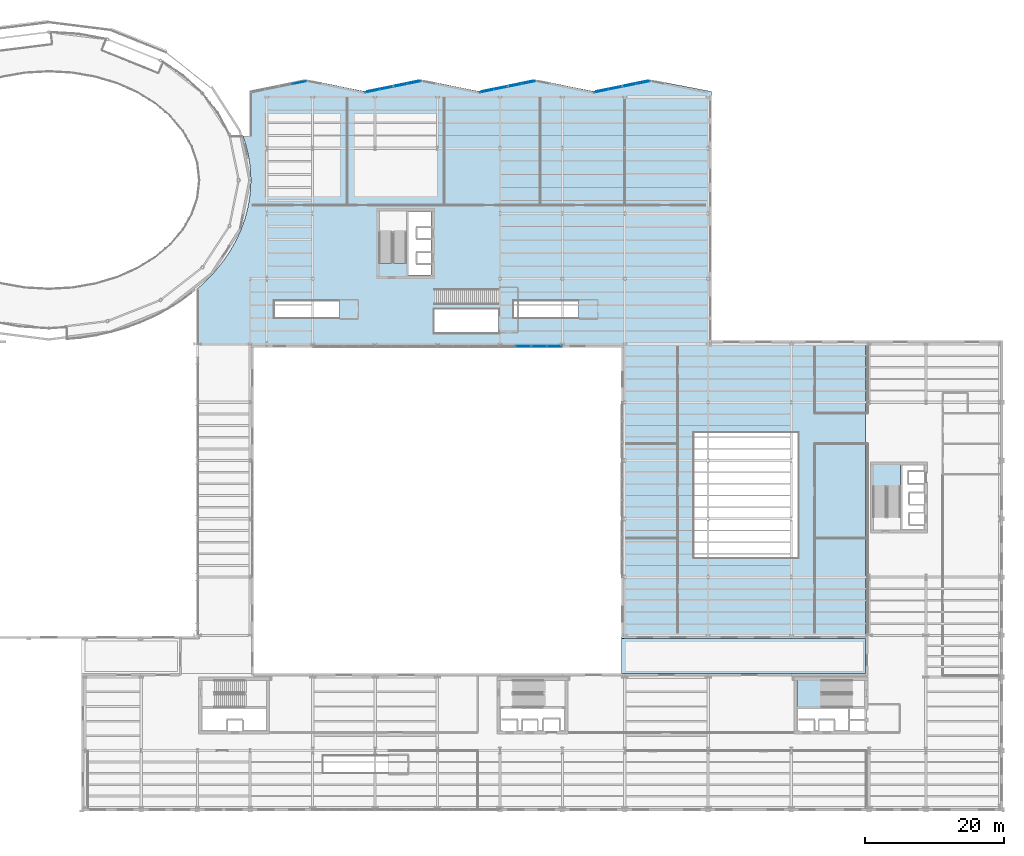
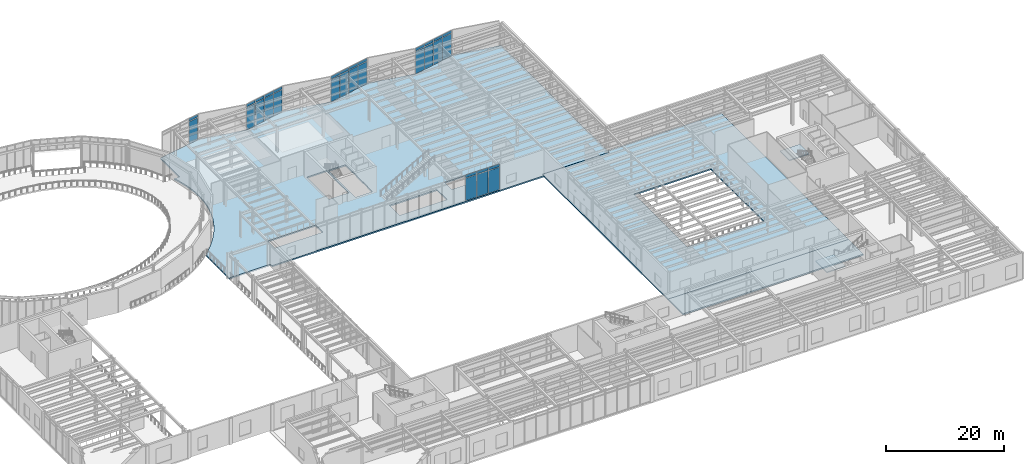
# One storey, part 71 of 98: 35 plates, 5 slabs, 11 elements without a shape of their own.
"""IFC4 building model written with IfcOpenShell, lengths in metres."""

from ifc_helpers import new_model, si_unit, direction, frame, origin, origin_2d, place, context, subcontext, project, spatial, polyline, rectangle, outline, extrude, material, layer, layer_set, type_object, element, aggregate, save


model = new_model("IFC4")

# Units and contexts
model_context = context("Model", 3, precision=1e-05, world=origin(), true_north=direction((0.0, 1.0)))
body_context = subcontext(model_context, "Body", "Model", "MODEL_VIEW")
ifc_project = project(units=[si_unit("LENGTHUNIT", "METRE"), si_unit("AREAUNIT", "SQUARE_METRE"), si_unit("VOLUMEUNIT", "CUBIC_METRE"), si_unit("PLANEANGLEUNIT", "RADIAN"), si_unit("MASSUNIT", "GRAM", prefix="KILO")], contexts=[model_context])

# Site, building, storey
site_placement = place(None, origin())
site = spatial("IfcSite", under=ifc_project, at=site_placement, CompositionType="ELEMENT")
building_placement = place(site_placement, origin())
building = spatial("IfcBuilding", under=site, at=building_placement, Name="Sollismere Congress Hotel", CompositionType="ELEMENT")
storey_placement = place(building_placement, frame((0.0, 0.0, 5.39990234375)))
storey = spatial("IfcBuildingStorey", under=building, at=storey_placement, Name="L01", CompositionType="ELEMENT", Elevation=5.39990234375)

# Curtain wall, plate
ifc_material_1 = material(Name="Anodized Bronze Curtain Wall & Low-E Triple Glazing", Category="glass")
ifc_layer_1 = layer(ifc_material_1, 0.199951171875, Name="Anodized Bronze Curtain Wall & Low-E Triple Glazing")
ifc_layer_set_1 = layer_set([ifc_layer_1], Name="Anodized Bronze Curtain Wall & Low-E Triple Glazing")
curtain_wall_type = type_object("IfcCurtainWallType", Name="CW-GLZ36", PredefinedType="USERDEFINED", material=ifc_layer_set_1)
curtain_wall_1_placement = place(storey_placement, origin())
curtain_wall_1 = element("IfcCurtainWall", 1, at=curtain_wall_1_placement, inside=storey, type_object=curtain_wall_type, Name="Unitised curtain wall CW-L01-082", ObjectType="UNITISED CURTAIN WALL", PredefinedType="USERDEFINED")
ifc_material_2 = material(Name="Blue-Tinted Solar-Control Low-E Vision Glass", Category="glass")
ifc_layer_2 = layer(ifc_material_2, 0.035888671875, Name="Blue-Tinted Solar-Control Low-E Vision Glass")
ifc_layer_set_2 = layer_set([ifc_layer_2], Name="Blue-Tinted Solar-Control Low-E Vision Glass")
plate_type_1 = type_object("IfcPlateType", Name="PL-CWGLZ", PredefinedType="CURTAIN_PANEL", material=ifc_layer_set_2)
plate_1_placement = place(storey_placement, frame((65.11181640625, 104.467041015625, 0.05322265625), z_axis=(0.0, 0.0, 1.0), x_axis=(0.979924704621, 0.199367934417, 0.0)))
plate_1 = element("IfcPlate", 2, at=plate_1_placement, type_object=plate_type_1, Name="CWL-CW-L01-082-VP02", PredefinedType="CURTAIN_PANEL", context=body_context, shape_type="SweptSolid", body=[
    extrude(rectangle(XDim=1.955810546875, YDim=0.035888671875, at=origin_2d()), origin(), (0.0, 0.0, 1.0), 4.60888671875),
])

# Curtain wall, plates
curtain_wall_2_placement = place(storey_placement, origin())
curtain_wall_2 = element("IfcCurtainWall", 3, at=curtain_wall_2_placement, inside=storey, type_object=curtain_wall_type, Name="Unitised curtain wall CW-L01-083", ObjectType="UNITISED CURTAIN WALL", PredefinedType="USERDEFINED")
plate_2_placement = place(storey_placement, frame((75.63818359375, 103.25146484375, 0.05322265625), z_axis=(0.0, 0.0, 1.0), x_axis=(0.979924704621, 0.199367934417, 0.0)))
plate_2 = element("IfcPlate", 4, at=plate_2_placement, type_object=plate_type_1, Name="CWL-CW-L01-083-VP01", PredefinedType="CURTAIN_PANEL", context=body_context, shape_type="SweptSolid", body=[
    extrude(rectangle(XDim=1.955810546875, YDim=0.035888671875, at=origin_2d()), origin(), (0.0, 0.0, 1.0), 4.60888671875),
])
plate_3_placement = place(storey_placement, frame((77.6044921875, 103.651611328125, 0.05322265625), z_axis=(0.0, 0.0, 1.0), x_axis=(0.979924704621, 0.199367934417, 0.0)))
plate_3 = element("IfcPlate", 5, at=plate_3_placement, type_object=plate_type_1, Name="CWL-CW-L01-083-VP02", PredefinedType="CURTAIN_PANEL", context=body_context, shape_type="SweptSolid", body=[
    extrude(rectangle(XDim=1.955810546875, YDim=0.035888671875, at=origin_2d()), origin(), (0.0, 0.0, 1.0), 4.60888671875),
])

curtain_wall_3_placement = place(storey_placement, origin())
curtain_wall_3 = element("IfcCurtainWall", 6, at=curtain_wall_3_placement, inside=storey, type_object=curtain_wall_type, Name="Unitised curtain wall CW-L01-084", ObjectType="UNITISED CURTAIN WALL", PredefinedType="USERDEFINED")
plate_4_placement = place(storey_placement, frame((79.6455078125, 104.06689453125, 0.05322265625), z_axis=(0.0, 0.0, 1.0), x_axis=(0.979924704621, 0.199367934417, 0.0)))
plate_4 = element("IfcPlate", 7, at=plate_4_placement, type_object=plate_type_1, Name="CWL-CW-L01-084-VP01", PredefinedType="CURTAIN_PANEL", context=body_context, shape_type="SweptSolid", body=[
    extrude(rectangle(XDim=1.955810546875, YDim=0.035888671875, at=origin_2d()), origin(), (0.0, 0.0, 1.0), 4.60888671875),
])
plate_5_placement = place(storey_placement, frame((81.61181640625, 104.467041015625, 0.05322265625), z_axis=(0.0, 0.0, 1.0), x_axis=(0.979924704621, 0.199367934417, 0.0)))
plate_5 = element("IfcPlate", 8, at=plate_5_placement, type_object=plate_type_1, Name="CWL-CW-L01-084-VP02", PredefinedType="CURTAIN_PANEL", context=body_context, shape_type="SweptSolid", body=[
    extrude(rectangle(XDim=1.955810546875, YDim=0.035888671875, at=origin_2d()), origin(), (0.0, 0.0, 1.0), 4.60888671875),
])

curtain_wall_4_placement = place(storey_placement, origin())
curtain_wall_4 = element("IfcCurtainWall", 9, at=curtain_wall_4_placement, inside=storey, type_object=curtain_wall_type, Name="Unitised curtain wall CW-L01-085", ObjectType="UNITISED CURTAIN WALL", PredefinedType="USERDEFINED")
plate_6_placement = place(storey_placement, frame((92.13818359375, 103.25146484375, 0.05322265625), z_axis=(0.0, 0.0, 1.0), x_axis=(0.979924704621, 0.199367934417, 0.0)))
plate_6 = element("IfcPlate", 10, at=plate_6_placement, type_object=plate_type_1, Name="CWL-CW-L01-085-VP01", PredefinedType="CURTAIN_PANEL", context=body_context, shape_type="SweptSolid", body=[
    extrude(rectangle(XDim=1.955810546875, YDim=0.035888671875, at=origin_2d()), origin(), (0.0, 0.0, 1.0), 4.60888671875),
])
plate_7_placement = place(storey_placement, frame((94.1044921875, 103.651611328125, 0.05322265625), z_axis=(0.0, 0.0, 1.0), x_axis=(0.979924704621, 0.199367934417, 0.0)))
plate_7 = element("IfcPlate", 11, at=plate_7_placement, type_object=plate_type_1, Name="CWL-CW-L01-085-VP02", PredefinedType="CURTAIN_PANEL", context=body_context, shape_type="SweptSolid", body=[
    extrude(rectangle(XDim=1.955810546875, YDim=0.035888671875, at=origin_2d()), origin(), (0.0, 0.0, 1.0), 4.60888671875),
])

curtain_wall_5_placement = place(storey_placement, origin())
curtain_wall_5 = element("IfcCurtainWall", 12, at=curtain_wall_5_placement, inside=storey, type_object=curtain_wall_type, Name="Unitised curtain wall CW-L01-086", ObjectType="UNITISED CURTAIN WALL", PredefinedType="USERDEFINED")
plate_8_placement = place(storey_placement, frame((96.1455078125, 104.06689453125, 0.05322265625), z_axis=(0.0, 0.0, 1.0), x_axis=(0.979924704621, 0.199367934417, 0.0)))
plate_8 = element("IfcPlate", 13, at=plate_8_placement, type_object=plate_type_1, Name="CWL-CW-L01-086-VP01", PredefinedType="CURTAIN_PANEL", context=body_context, shape_type="SweptSolid", body=[
    extrude(rectangle(XDim=1.955810546875, YDim=0.035888671875, at=origin_2d()), origin(), (0.0, 0.0, 1.0), 4.60888671875),
])
plate_9_placement = place(storey_placement, frame((98.11181640625, 104.467041015625, 0.05322265625), z_axis=(0.0, 0.0, 1.0), x_axis=(0.979924704621, 0.199367934417, 0.0)))
plate_9 = element("IfcPlate", 14, at=plate_9_placement, type_object=plate_type_1, Name="CWL-CW-L01-086-VP02", PredefinedType="CURTAIN_PANEL", context=body_context, shape_type="SweptSolid", body=[
    extrude(rectangle(XDim=1.955810546875, YDim=0.035888671875, at=origin_2d()), origin(), (0.0, 0.0, 1.0), 4.60888671875),
])

curtain_wall_6_placement = place(storey_placement, origin())
curtain_wall_6 = element("IfcCurtainWall", 15, at=curtain_wall_6_placement, inside=storey, type_object=curtain_wall_type, Name="Unitised curtain wall CW-L01-087", ObjectType="UNITISED CURTAIN WALL", PredefinedType="USERDEFINED")
plate_10_placement = place(storey_placement, frame((108.63818359375, 103.25146484375, 0.05322265625), z_axis=(0.0, 0.0, 1.0), x_axis=(0.979924704621, 0.199367934417, 0.0)))
plate_10 = element("IfcPlate", 16, at=plate_10_placement, type_object=plate_type_1, Name="CWL-CW-L01-087-VP01", PredefinedType="CURTAIN_PANEL", context=body_context, shape_type="SweptSolid", body=[
    extrude(rectangle(XDim=1.955810546875, YDim=0.035888671875, at=origin_2d()), origin(), (0.0, 0.0, 1.0), 4.60888671875),
])
plate_11_placement = place(storey_placement, frame((110.6044921875, 103.651611328125, 0.05322265625), z_axis=(0.0, 0.0, 1.0), x_axis=(0.979924704621, 0.199367934417, 0.0)))
plate_11 = element("IfcPlate", 17, at=plate_11_placement, type_object=plate_type_1, Name="CWL-CW-L01-087-VP02", PredefinedType="CURTAIN_PANEL", context=body_context, shape_type="SweptSolid", body=[
    extrude(rectangle(XDim=1.955810546875, YDim=0.035888671875, at=origin_2d()), origin(), (0.0, 0.0, 1.0), 4.60888671875),
])

curtain_wall_7_placement = place(storey_placement, origin())
curtain_wall_7 = element("IfcCurtainWall", 18, at=curtain_wall_7_placement, inside=storey, type_object=curtain_wall_type, Name="Unitised curtain wall CW-L01-088", ObjectType="UNITISED CURTAIN WALL", PredefinedType="USERDEFINED")
plate_12_placement = place(storey_placement, frame((112.6455078125, 104.06689453125, 0.05322265625), z_axis=(0.0, 0.0, 1.0), x_axis=(0.979924704621, 0.199367934417, 0.0)))
plate_12 = element("IfcPlate", 19, at=plate_12_placement, type_object=plate_type_1, Name="CWL-CW-L01-088-VP01", PredefinedType="CURTAIN_PANEL", context=body_context, shape_type="SweptSolid", body=[
    extrude(rectangle(XDim=1.955810546875, YDim=0.035888671875, at=origin_2d()), origin(), (0.0, 0.0, 1.0), 4.60888671875),
])
plate_13_placement = place(storey_placement, frame((114.61181640625, 104.467041015625, 0.05322265625), z_axis=(0.0, 0.0, 1.0), x_axis=(0.979924704621, 0.199367934417, 0.0)))
plate_13 = element("IfcPlate", 20, at=plate_13_placement, type_object=plate_type_1, Name="CWL-CW-L01-088-VP02", PredefinedType="CURTAIN_PANEL", context=body_context, shape_type="SweptSolid", body=[
    extrude(rectangle(XDim=1.955810546875, YDim=0.035888671875, at=origin_2d()), origin(), (0.0, 0.0, 1.0), 4.60888671875),
])

# Curtain wall, plate
curtain_wall_8_placement = place(storey_placement, origin())
curtain_wall_8 = element("IfcCurtainWall", 21, at=curtain_wall_8_placement, inside=storey, type_object=curtain_wall_type, Name="Unitised curtain wall CW-L01-095", ObjectType="UNITISED CURTAIN WALL", PredefinedType="USERDEFINED")
plate_14_placement = place(storey_placement, frame((97.3583984375, 66.489990234375, 0.05322265625), z_axis=(0.0, 0.0, 1.0), x_axis=(1.0, 0.0, 0.0)))
plate_14 = element("IfcPlate", 22, at=plate_14_placement, type_object=plate_type_1, Name="CWL-CW-L01-095-VP02", PredefinedType="CURTAIN_PANEL", context=body_context, shape_type="SweptSolid", body=[
    extrude(rectangle(XDim=2.156005859375, YDim=0.035888671875, at=origin_2d()), origin(), (0.0, 0.0, 1.0), 4.60888671875),
])

# Curtain wall, plates
curtain_wall_9_placement = place(storey_placement, origin())
curtain_wall_9 = element("IfcCurtainWall", 23, at=curtain_wall_9_placement, inside=storey, type_object=curtain_wall_type, Name="Unitised curtain wall CW-L01-096", ObjectType="UNITISED CURTAIN WALL", PredefinedType="USERDEFINED")
plate_15_placement = place(storey_placement, frame((99.6416015625, 66.489990234375, 0.05322265625), z_axis=(0.0, 0.0, 1.0), x_axis=(1.0, 0.0, 0.0)))
plate_15 = element("IfcPlate", 24, at=plate_15_placement, type_object=plate_type_1, Name="CWL-CW-L01-096-VP01", PredefinedType="CURTAIN_PANEL", context=body_context, shape_type="SweptSolid", body=[
    extrude(rectangle(XDim=2.156005859375, YDim=0.035888671875, at=origin_2d()), origin(), (0.0, 0.0, 1.0), 4.60888671875),
])
plate_16_placement = place(storey_placement, frame((101.848388671875, 66.489990234375, 0.05322265625), z_axis=(0.0, 0.0, 1.0), x_axis=(1.0, 0.0, 0.0)))
plate_16 = element("IfcPlate", 25, at=plate_16_placement, type_object=plate_type_1, Name="CWL-CW-L01-096-VP02", PredefinedType="CURTAIN_PANEL", context=body_context, shape_type="SweptSolid", body=[
    extrude(rectangle(XDim=2.156005859375, YDim=0.035888671875, at=origin_2d()), origin(), (0.0, 0.0, 1.0), 4.60888671875),
])

# Plate
ifc_material_3 = material(Name="Anodized Bronze Insulated Spandrel Panel")
ifc_layer_3 = layer(ifc_material_3, 0.044921875, Name="Anodized Bronze Insulated Spandrel Panel")
ifc_layer_set_3 = layer_set([ifc_layer_3], Name="Anodized Bronze Insulated Spandrel Panel")
plate_type_2 = type_object("IfcPlateType", Name="PL-CWSPN", PredefinedType="SHEET", material=ifc_layer_set_3)
plate_17_placement = place(storey_placement, frame((65.11181640625, 104.467041015625, 4.77783203125), z_axis=(0.0, 0.0, 1.0), x_axis=(0.979924704621, 0.199367934417, 0.0)))
plate_17 = element("IfcPlate", 26, at=plate_17_placement, type_object=plate_type_2, Name="CWL-CW-L01-082-SP02", PredefinedType="SHEET", context=body_context, shape_type="SweptSolid", body=[
    extrude(rectangle(XDim=1.955810546875, YDim=0.044921875, at=origin_2d()), origin(), (0.0, 0.0, 1.0), 0.569091796875),
])

aggregate(curtain_wall_1, [plate_1, plate_17])

plate_18_placement = place(storey_placement, frame((75.63818359375, 103.25146484375, 4.77783203125), z_axis=(0.0, 0.0, 1.0), x_axis=(0.979924704621, 0.199367934417, 0.0)))
plate_18 = element("IfcPlate", 27, at=plate_18_placement, type_object=plate_type_2, Name="CWL-CW-L01-083-SP01", PredefinedType="SHEET", context=body_context, shape_type="SweptSolid", body=[
    extrude(rectangle(XDim=1.955810546875, YDim=0.044921875, at=origin_2d()), origin(), (0.0, 0.0, 1.0), 0.569091796875),
])

plate_19_placement = place(storey_placement, frame((77.6044921875, 103.651611328125, 4.77783203125), z_axis=(0.0, 0.0, 1.0), x_axis=(0.979924704621, 0.199367934417, 0.0)))
plate_19 = element("IfcPlate", 28, at=plate_19_placement, type_object=plate_type_2, Name="CWL-CW-L01-083-SP02", PredefinedType="SHEET", context=body_context, shape_type="SweptSolid", body=[
    extrude(rectangle(XDim=1.955810546875, YDim=0.044921875, at=origin_2d()), origin(), (0.0, 0.0, 1.0), 0.569091796875),
])

aggregate(curtain_wall_2, [plate_2, plate_18, plate_3, plate_19])

plate_20_placement = place(storey_placement, frame((79.6455078125, 104.06689453125, 4.77783203125), z_axis=(0.0, 0.0, 1.0), x_axis=(0.979924704621, 0.199367934417, 0.0)))
plate_20 = element("IfcPlate", 29, at=plate_20_placement, type_object=plate_type_2, Name="CWL-CW-L01-084-SP01", PredefinedType="SHEET", context=body_context, shape_type="SweptSolid", body=[
    extrude(rectangle(XDim=1.955810546875, YDim=0.044921875, at=origin_2d()), origin(), (0.0, 0.0, 1.0), 0.569091796875),
])

plate_21_placement = place(storey_placement, frame((81.61181640625, 104.467041015625, 4.77783203125), z_axis=(0.0, 0.0, 1.0), x_axis=(0.979924704621, 0.199367934417, 0.0)))
plate_21 = element("IfcPlate", 30, at=plate_21_placement, type_object=plate_type_2, Name="CWL-CW-L01-084-SP02", PredefinedType="SHEET", context=body_context, shape_type="SweptSolid", body=[
    extrude(rectangle(XDim=1.955810546875, YDim=0.044921875, at=origin_2d()), origin(), (0.0, 0.0, 1.0), 0.569091796875),
])

aggregate(curtain_wall_3, [plate_4, plate_20, plate_5, plate_21])

plate_22_placement = place(storey_placement, frame((92.13818359375, 103.25146484375, 4.77783203125), z_axis=(0.0, 0.0, 1.0), x_axis=(0.979924704621, 0.199367934417, 0.0)))
plate_22 = element("IfcPlate", 31, at=plate_22_placement, type_object=plate_type_2, Name="CWL-CW-L01-085-SP01", PredefinedType="SHEET", context=body_context, shape_type="SweptSolid", body=[
    extrude(rectangle(XDim=1.955810546875, YDim=0.044921875, at=origin_2d()), origin(), (0.0, 0.0, 1.0), 0.569091796875),
])

plate_23_placement = place(storey_placement, frame((94.1044921875, 103.651611328125, 4.77783203125), z_axis=(0.0, 0.0, 1.0), x_axis=(0.979924704621, 0.199367934417, 0.0)))
plate_23 = element("IfcPlate", 32, at=plate_23_placement, type_object=plate_type_2, Name="CWL-CW-L01-085-SP02", PredefinedType="SHEET", context=body_context, shape_type="SweptSolid", body=[
    extrude(rectangle(XDim=1.955810546875, YDim=0.044921875, at=origin_2d()), origin(), (0.0, 0.0, 1.0), 0.569091796875),
])

aggregate(curtain_wall_4, [plate_6, plate_22, plate_7, plate_23])

plate_24_placement = place(storey_placement, frame((96.1455078125, 104.06689453125, 4.77783203125), z_axis=(0.0, 0.0, 1.0), x_axis=(0.979924704621, 0.199367934417, 0.0)))
plate_24 = element("IfcPlate", 33, at=plate_24_placement, type_object=plate_type_2, Name="CWL-CW-L01-086-SP01", PredefinedType="SHEET", context=body_context, shape_type="SweptSolid", body=[
    extrude(rectangle(XDim=1.955810546875, YDim=0.044921875, at=origin_2d()), origin(), (0.0, 0.0, 1.0), 0.569091796875),
])

plate_25_placement = place(storey_placement, frame((98.11181640625, 104.467041015625, 4.77783203125), z_axis=(0.0, 0.0, 1.0), x_axis=(0.979924704621, 0.199367934417, 0.0)))
plate_25 = element("IfcPlate", 34, at=plate_25_placement, type_object=plate_type_2, Name="CWL-CW-L01-086-SP02", PredefinedType="SHEET", context=body_context, shape_type="SweptSolid", body=[
    extrude(rectangle(XDim=1.955810546875, YDim=0.044921875, at=origin_2d()), origin(), (0.0, 0.0, 1.0), 0.569091796875),
])

aggregate(curtain_wall_5, [plate_8, plate_24, plate_9, plate_25])

plate_26_placement = place(storey_placement, frame((108.63818359375, 103.25146484375, 4.77783203125), z_axis=(0.0, 0.0, 1.0), x_axis=(0.979924704621, 0.199367934417, 0.0)))
plate_26 = element("IfcPlate", 35, at=plate_26_placement, type_object=plate_type_2, Name="CWL-CW-L01-087-SP01", PredefinedType="SHEET", context=body_context, shape_type="SweptSolid", body=[
    extrude(rectangle(XDim=1.955810546875, YDim=0.044921875, at=origin_2d()), origin(), (0.0, 0.0, 1.0), 0.569091796875),
])

plate_27_placement = place(storey_placement, frame((110.6044921875, 103.651611328125, 4.77783203125), z_axis=(0.0, 0.0, 1.0), x_axis=(0.979924704621, 0.199367934417, 0.0)))
plate_27 = element("IfcPlate", 36, at=plate_27_placement, type_object=plate_type_2, Name="CWL-CW-L01-087-SP02", PredefinedType="SHEET", context=body_context, shape_type="SweptSolid", body=[
    extrude(rectangle(XDim=1.955810546875, YDim=0.044921875, at=origin_2d()), origin(), (0.0, 0.0, 1.0), 0.569091796875),
])

aggregate(curtain_wall_6, [plate_10, plate_26, plate_11, plate_27])

plate_28_placement = place(storey_placement, frame((112.6455078125, 104.06689453125, 4.77783203125), z_axis=(0.0, 0.0, 1.0), x_axis=(0.979924704621, 0.199367934417, 0.0)))
plate_28 = element("IfcPlate", 37, at=plate_28_placement, type_object=plate_type_2, Name="CWL-CW-L01-088-SP01", PredefinedType="SHEET", context=body_context, shape_type="SweptSolid", body=[
    extrude(rectangle(XDim=1.955810546875, YDim=0.044921875, at=origin_2d()), origin(), (0.0, 0.0, 1.0), 0.569091796875),
])

plate_29_placement = place(storey_placement, frame((114.61181640625, 104.467041015625, 4.77783203125), z_axis=(0.0, 0.0, 1.0), x_axis=(0.979924704621, 0.199367934417, 0.0)))
plate_29 = element("IfcPlate", 38, at=plate_29_placement, type_object=plate_type_2, Name="CWL-CW-L01-088-SP02", PredefinedType="SHEET", context=body_context, shape_type="SweptSolid", body=[
    extrude(rectangle(XDim=1.955810546875, YDim=0.044921875, at=origin_2d()), origin(), (0.0, 0.0, 1.0), 0.569091796875),
])

aggregate(curtain_wall_7, [plate_12, plate_28, plate_13, plate_29])

plate_30_placement = place(storey_placement, frame((97.3583984375, 66.489990234375, 4.77783203125), z_axis=(0.0, 0.0, 1.0), x_axis=(1.0, 0.0, 0.0)))
plate_30 = element("IfcPlate", 39, at=plate_30_placement, type_object=plate_type_2, Name="CWL-CW-L01-095-SP02", PredefinedType="SHEET", context=body_context, shape_type="SweptSolid", body=[
    extrude(rectangle(XDim=2.156005859375, YDim=0.044921875, at=origin_2d()), origin(), (0.0, 0.0, 1.0), 0.569091796875),
])

aggregate(curtain_wall_8, [plate_14, plate_30])

plate_31_placement = place(storey_placement, frame((99.6416015625, 66.489990234375, 4.77783203125), z_axis=(0.0, 0.0, 1.0), x_axis=(1.0, 0.0, 0.0)))
plate_31 = element("IfcPlate", 40, at=plate_31_placement, type_object=plate_type_2, Name="CWL-CW-L01-096-SP01", PredefinedType="SHEET", context=body_context, shape_type="SweptSolid", body=[
    extrude(rectangle(XDim=2.156005859375, YDim=0.044921875, at=origin_2d()), origin(), (0.0, 0.0, 1.0), 0.569091796875),
])

plate_32_placement = place(storey_placement, frame((101.848388671875, 66.489990234375, 4.77783203125), z_axis=(0.0, 0.0, 1.0), x_axis=(1.0, 0.0, 0.0)))
plate_32 = element("IfcPlate", 41, at=plate_32_placement, type_object=plate_type_2, Name="CWL-CW-L01-096-SP02", PredefinedType="SHEET", context=body_context, shape_type="SweptSolid", body=[
    extrude(rectangle(XDim=2.156005859375, YDim=0.044921875, at=origin_2d()), origin(), (0.0, 0.0, 1.0), 0.569091796875),
])

aggregate(curtain_wall_9, [plate_15, plate_31, plate_16, plate_32])

# Plates
ifc_material_4 = material(Name="Perforated Architectural Bronze Sebeke Screen")
ifc_layer_4 = layer(ifc_material_4, 0.0380859375, Name="Perforated Architectural Bronze Sebeke Screen")
ifc_layer_set_4 = layer_set([ifc_layer_4], Name="Perforated Architectural Bronze Sebeke Screen")
plate_type_3 = type_object("IfcPlateType", Name="PL-SBK32", PredefinedType="USERDEFINED", material=ifc_layer_set_4)
for number, where, z_axis, x_axis, name in (
    (42, (78.60107421875, 103.976806640625, 1.7919921875), (0.0, 0.0, 1.0), (0.979924704621, 0.199367934417, 0.0), "PLT-SBK-007"),
    (43, (95.10107421875, 103.976806640625, 1.7919921875), (0.0, 0.0, 1.0), (0.979924704621, 0.199367934417, 0.0), "PLT-SBK-008"),
    (44, (111.60107421875, 103.976806640625, 1.7919921875), (0.0, 0.0, 1.0), (0.979924704621, 0.199367934417, 0.0), "PLT-SBK-009"),
):
    element("IfcPlate", number, at=place(storey_placement, frame(where, z_axis=z_axis, x_axis=x_axis)), inside=storey, type_object=plate_type_3, Name=name, ObjectType="PERFORATED SCREEN", PredefinedType="USERDEFINED", context=body_context, shape_type="SweptSolid", body=[
        extrude(rectangle(XDim=7.618896484375, YDim=0.0380859375, at=origin_2d()), origin(), (0.0, 0.0, 1.0), 2.764892578125),
    ])

# Slabs
ifc_material_5 = material(Name="Concrete C40/50", Category="concrete")
ifc_layer_5 = layer(ifc_material_5, 0.284912109375, Name="Concrete C40/50")
ifc_layer_set_5 = layer_set([ifc_layer_5], Name="Concrete C40/50")
slab_type_1 = type_object("IfcSlabType", Name="SL-FLR285", PredefinedType="FLOOR", material=ifc_layer_set_5)
slab_1_placement = place(storey_placement, frame((0.0, 0.0, -0.284912109375)))
element("IfcSlab", 45, at=slab_1_placement, inside=storey, type_object=slab_type_1, Name="Slab SL-L01-V2", PredefinedType="FLOOR", context=body_context, shape_type="SweptSolid", body=[
    extrude(outline(polyline([(58.47998046875, 66.320068359375), (111.52001953125, 66.320068359375), (111.52001953125, 66.800048828125), (124.47998046875, 66.800048828125), (124.47998046875, 103.199951171875), (115.75, 104.87841796875), (107.5, 103.199951171875), (99.25, 104.87841796875), (91.0, 103.199951171875), (82.75, 104.87841796875), (74.5, 103.199951171875), (66.25, 104.87841796875), (58.0, 103.199951171875), (58.0, 96.800048828125), (56.94873046875, 96.800048828125), (57.3056640625, 95.794921875), (57.751708984375, 94.01513671875), (58.020263671875, 92.212890625), (58.110107421875, 90.3994140625), (58.020263671875, 88.586181640625), (57.75146484375, 86.783935546875), (57.305419921875, 85.004150390625), (56.684814453125, 83.257568359375), (55.8935546875, 81.554931640625), (54.9365234375, 79.906982421875), (53.819580078125, 78.323974609375), (52.549560546875, 76.815185546875), (51.13427734375, 75.39013671875), (50.39990234375, 74.759521484375), (50.39990234375, 66.800048828125), (58.0, 66.800048828125), (58.47998046875, 66.800048828125), (58.47998046875, 66.320068359375)]), holes=[polyline([(84.550048828125, 71.800048828125), (93.829345703125, 71.800048828125), (93.829345703125, 68.39990234375), (84.550048828125, 68.39990234375), (84.550048828125, 71.800048828125)]), polyline([(70.849365234375, 73.0), (70.849365234375, 70.60009765625), (61.5, 70.60009765625), (61.5, 73.0), (70.849365234375, 73.0)]), polyline([(105.349365234375, 73.0), (105.349365234375, 70.60009765625), (96.0, 70.60009765625), (96.0, 73.0), (105.349365234375, 73.0)]), polyline([(80.77001953125, 76.739990234375), (80.77001953125, 85.860107421875), (84.06005859375, 85.860107421875), (84.06005859375, 83.570068359375), (84.14501953125, 83.570068359375), (84.14501953125, 82.030029296875), (84.06005859375, 82.030029296875), (84.06005859375, 79.969970703125), (84.14501953125, 79.969970703125), (84.14501953125, 78.429931640625), (84.06005859375, 78.429931640625), (84.06005859375, 76.739990234375), (80.77001953125, 76.739990234375)]), polyline([(80.5, 86.0), (80.5, 78.45068359375), (76.60009765625, 78.45068359375), (76.60009765625, 86.0), (80.5, 86.0)])]), origin(), (0.0, 0.0, 1.0), 0.284912109375),
])
slab_2_placement = place(storey_placement, frame((0.0, 0.0, -0.284912109375)))
element("IfcSlab", 46, at=slab_2_placement, inside=storey, type_object=slab_type_1, Name="Slab SL-L01-V4", PredefinedType="FLOOR", context=body_context, shape_type="SweptSolid", body=[
    extrude(outline(polyline([(111.52001953125, 24.320068359375), (124.5, 24.320068359375), (146.719970703125, 24.320068359375), (146.719970703125, 67.280029296875), (124.5, 67.280029296875), (124.5, 66.7900390625), (111.52001953125, 66.7900390625), (111.52001953125, 24.320068359375)]), holes=[polyline([(137.0, 36.0), (122.0, 36.0), (122.0, 54.0), (137.0, 54.0), (137.0, 36.0)])]), origin(), (0.0, 0.0, 1.0), 0.284912109375),
])

# Stair, slab
stair_type = type_object("IfcStairType", Name="STR-DL-540", PredefinedType="HALF_TURN_STAIR", material=ifc_material_5)
stair_1_placement = place(storey_placement, origin())
stair_1 = element("IfcStair", 47, at=stair_1_placement, inside=storey, type_object=stair_type, Name="Protected exit stair ST-01-L01", PredefinedType="HALF_TURN_STAIR")
ifc_layer_6 = layer(ifc_material_5, 0.199951171875, Name="Concrete C40/50")
ifc_layer_set_6 = layer_set([ifc_layer_6], Name="Concrete C40/50")
slab_type_2 = type_object("IfcSlabType", Name="SL-LND200", PredefinedType="LANDING", material=ifc_layer_set_6)
slab_3_placement = place(storey_placement, frame((0.0, 0.0, 2.5)))
slab_3 = element("IfcSlab", 48, at=slab_3_placement, type_object=slab_type_2, Name="Exit stair half-landing ST-01-L01-L1", PredefinedType="LANDING", context=body_context, shape_type="SweptSolid", body=[
    extrude(outline(polyline([(140.39990234375, 18.35009765625), (136.800048828125, 18.35009765625), (136.800048828125, 14.449951171875), (140.39990234375, 14.449951171875), (140.39990234375, 18.35009765625)])), origin(), (0.0, 0.0, 1.0), 0.2001953125),
])
aggregate(stair_1, [slab_3])

stair_2_placement = place(storey_placement, origin())
stair_2 = element("IfcStair", 49, at=stair_2_placement, inside=storey, type_object=stair_type, Name="Protected exit stair ST-03-L01", PredefinedType="HALF_TURN_STAIR")
slab_4_placement = place(storey_placement, frame((0.0, 0.0, 2.5)))
slab_4 = element("IfcSlab", 50, at=slab_4_placement, type_object=slab_type_2, Name="Exit stair half-landing ST-03-L01-L1", PredefinedType="LANDING", context=body_context, shape_type="SweptSolid", body=[
    extrude(outline(polyline([(151.699951171875, 46.199951171875), (151.699951171875, 49.39990234375), (147.800048828125, 49.39990234375), (147.800048828125, 46.199951171875), (151.699951171875, 46.199951171875)])), origin(), (0.0, 0.0, 1.0), 0.2001953125),
])
aggregate(stair_2, [slab_4])

# Slab
ifc_layer_7 = layer(ifc_material_5, 0.27490234375, Name="Concrete C40/50")
ifc_layer_set_7 = layer_set([ifc_layer_7], Name="Concrete C40/50")
slab_type_3 = type_object("IfcSlabType", Name="SL-ROOF275", PredefinedType="ROOF", material=ifc_layer_set_7)
slab_5_placement = place(storey_placement, frame((0.0, 0.0, -0.27490234375)))
element("IfcSlab", 51, at=slab_5_placement, inside=storey, type_object=slab_type_3, Name="Slab SL-L01-SLK", PredefinedType="ROOF", context=body_context, shape_type="SweptSolid", body=[
    extrude(outline(polyline([(146.719970703125, 19.280029296875), (146.719970703125, 24.320068359375), (111.52001953125, 24.320068359375), (111.52001953125, 19.280029296875), (146.719970703125, 19.280029296875)])), origin(), (0.0, 0.0, 1.0), 0.27490234375),
])

save(model, "model.ifc")
